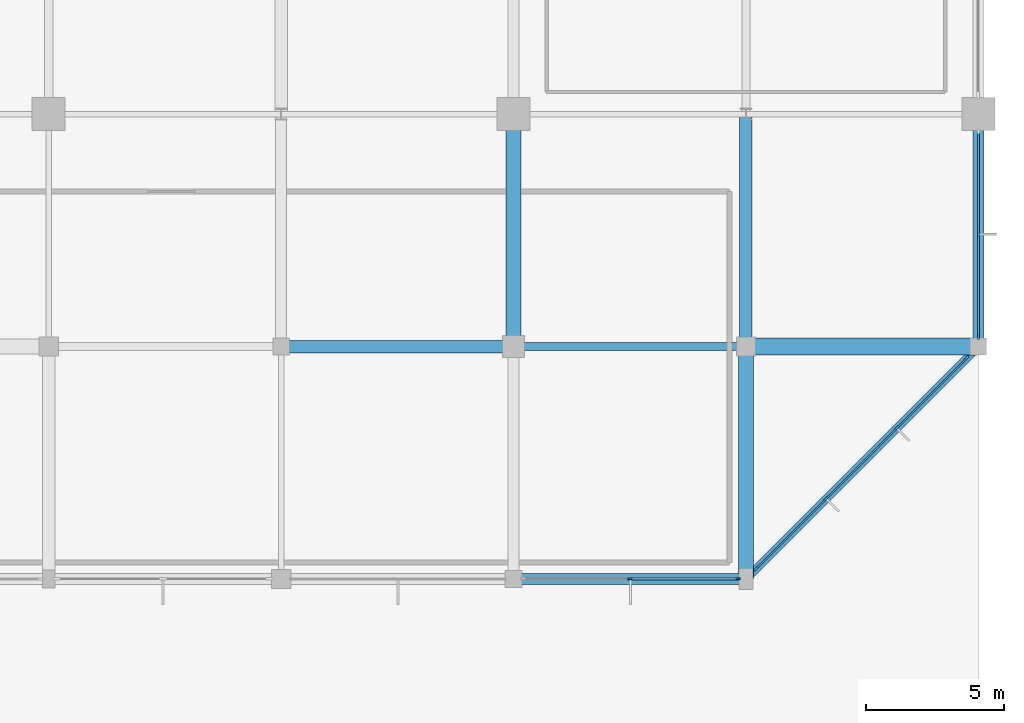
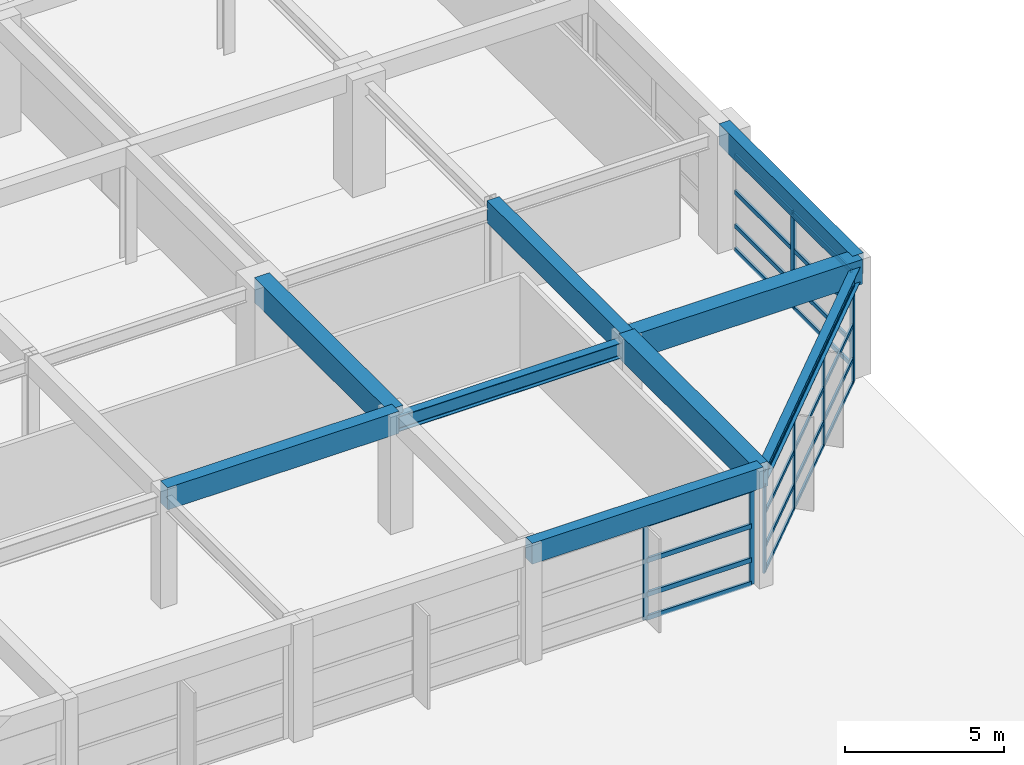
# One storey, part 29 of 60: 32 members, 9 beams, 3 elements without a shape of their own.
"""IFC4 building model written with IfcOpenShell, lengths in metres."""

from ifc_helpers import new_model, si_unit, direction, frame, origin, origin_2d, place, context, subcontext, project, spatial, rectangle, i_section, extrude, material, material_profile, profile_set, type_object, element, aggregate, save


model = new_model("IFC4")

# Units and contexts
model_context = context("Model", 3, precision=1e-05, world=origin(), true_north=direction((0.0, 1.0)))
body_context = subcontext(model_context, "Body", "Model", "MODEL_VIEW")
ifc_project = project(units=[si_unit("LENGTHUNIT", "METRE"), si_unit("AREAUNIT", "SQUARE_METRE"), si_unit("VOLUMEUNIT", "CUBIC_METRE"), si_unit("PLANEANGLEUNIT", "RADIAN"), si_unit("MASSUNIT", "GRAM", prefix="KILO")], contexts=[model_context])

# Site, building, storey
site_placement = place(None, origin())
site = spatial("IfcSite", under=ifc_project, at=site_placement, CompositionType="ELEMENT")
building_placement = place(site_placement, origin())
building = spatial("IfcBuilding", under=site, at=building_placement, Name="Xuanlan Plaza Opera House", CompositionType="ELEMENT")
storey_placement = place(building_placement, frame((0.0, 0.0, 9.89990234375)))
storey = spatial("IfcBuildingStorey", under=building, at=storey_placement, Name="L02", CompositionType="ELEMENT", Elevation=9.89990234375)

# Curtain wall, members
ifc_material_1 = material(Name="Anodised Aluminium 6063-T6 and Low-E Glass", Category="aluminium")
curtain_wall_type_1 = type_object("IfcCurtainWallType", Name="ENV-CW-CW-02", PredefinedType="USERDEFINED", material=ifc_material_1)
curtain_wall_1_placement = place(storey_placement, origin())
curtain_wall_1 = element("IfcCurtainWall", 1, at=curtain_wall_1_placement, inside=storey, type_object=curtain_wall_type_1, Name="Unitised Curtain Wall L02-018", ObjectType="UNITISED CURTAIN WALL", PredefinedType="USERDEFINED")
ifc_material_2 = material(Name="Anodised Aluminium 6063-T6", Category="aluminium")
ifc_material_profile_1 = material_profile(ifc_material_2, rectangle(XDim=0.070068359375, YDim=0.179931640625, at=origin_2d()), Name="ALU-M 70x180")
ifc_profile_set_1 = profile_set([ifc_material_profile_1], Name="Anodised Aluminium 6063-T6")
member_type_1 = type_object("IfcMemberType", Name="ENV-CWM-02", PredefinedType="MULLION", material=ifc_profile_set_1)
member_1_placement = place(storey_placement, frame((155.425048828125, 16.800048828125, 0.0), z_axis=(0.0, 0.0, 1.0), x_axis=(0.0, 1.0, 0.0)))
member_1 = element("IfcMember", 2, at=member_1_placement, type_object=member_type_1, Name="CW-02 mullion 2", PredefinedType="MULLION", context=body_context, shape_type="SweptSolid", body=[
    extrude(rectangle(XDim=0.070068359375, YDim=0.179931640625, at=origin_2d()), origin(), (0.0, 0.0, 1.0), 3.68017578125),
])
member_2_placement = place(storey_placement, frame((159.294921875, 16.800048828125, 0.0), z_axis=(0.0, 0.0, 1.0), x_axis=(0.0, 1.0, 0.0)))
member_2 = element("IfcMember", 3, at=member_2_placement, type_object=member_type_1, Name="CW-02 mullion 3", PredefinedType="MULLION", context=body_context, shape_type="SweptSolid", body=[
    extrude(rectangle(XDim=0.070068359375, YDim=0.179931640625, at=origin_2d()), origin(), (0.0, 0.0, 1.0), 3.68017578125),
])

curtain_wall_type_2 = type_object("IfcCurtainWallType", Name="ENV-CW-CW-03", PredefinedType="USERDEFINED", material=ifc_material_1)
curtain_wall_2_placement = place(storey_placement, origin())
curtain_wall_2 = element("IfcCurtainWall", 4, at=curtain_wall_2_placement, inside=storey, type_object=curtain_wall_type_2, Name="Unitised Curtain Wall L02-019", ObjectType="UNITISED CURTAIN WALL", PredefinedType="USERDEFINED")
ifc_material_profile_2 = material_profile(ifc_material_2, rectangle(XDim=0.074951171875, YDim=0.199951171875, at=origin_2d()), Name="ALU-M 75x200")
ifc_profile_set_2 = profile_set([ifc_material_profile_2], Name="Anodised Aluminium 6063-T6")
member_type_2 = type_object("IfcMemberType", Name="ENV-CWM-03", PredefinedType="MULLION", material=ifc_profile_set_2)
member_3_placement = place(storey_placement, frame((159.9755859375, 17.175537109375, 0.0), z_axis=(0.0, 0.0, 1.0), x_axis=(-0.707106781187, 0.707106781187, 0.0)))
member_3 = element("IfcMember", 5, at=member_3_placement, type_object=member_type_2, Name="CW-03 mullion 1", PredefinedType="MULLION", context=body_context, shape_type="SweptSolid", body=[
    extrude(rectangle(XDim=0.074951171875, YDim=0.199951171875, at=origin_2d()), origin(), (0.0, 0.0, 1.0), 3.68017578125),
])
member_4_placement = place(storey_placement, frame((162.499755859375, 19.69970703125, 0.0), z_axis=(0.0, 0.0, 1.0), x_axis=(-0.707106781187, 0.707106781187, 0.0)))
member_4 = element("IfcMember", 6, at=member_4_placement, type_object=member_type_2, Name="CW-03 mullion 2", PredefinedType="MULLION", context=body_context, shape_type="SweptSolid", body=[
    extrude(rectangle(XDim=0.074951171875, YDim=0.199951171875, at=origin_2d()), origin(), (0.0, 0.0, 1.0), 3.68017578125),
])
member_5_placement = place(storey_placement, frame((165.05029296875, 22.250244140625, 0.0), z_axis=(0.0, 0.0, 1.0), x_axis=(-0.707106781187, 0.707106781187, 0.0)))
member_5 = element("IfcMember", 7, at=member_5_placement, type_object=member_type_2, Name="CW-03 mullion 3", PredefinedType="MULLION", context=body_context, shape_type="SweptSolid", body=[
    extrude(rectangle(XDim=0.074951171875, YDim=0.199951171875, at=origin_2d()), origin(), (0.0, 0.0, 1.0), 3.68017578125),
])
member_6_placement = place(storey_placement, frame((167.574462890625, 24.7744140625, 0.0), z_axis=(0.0, 0.0, 1.0), x_axis=(-0.707106781187, 0.707106781187, 0.0)))
member_6 = element("IfcMember", 8, at=member_6_placement, type_object=member_type_2, Name="CW-03 mullion 4", PredefinedType="MULLION", context=body_context, shape_type="SweptSolid", body=[
    extrude(rectangle(XDim=0.074951171875, YDim=0.199951171875, at=origin_2d()), origin(), (0.0, 0.0, 1.0), 3.68017578125),
])

curtain_wall_type_3 = type_object("IfcCurtainWallType", Name="ENV-CW-CW-04", PredefinedType="USERDEFINED", material=ifc_material_1)
curtain_wall_3_placement = place(storey_placement, origin())
curtain_wall_3 = element("IfcCurtainWall", 9, at=curtain_wall_3_placement, inside=storey, type_object=curtain_wall_type_3, Name="Unitised Curtain Wall L02-020", ObjectType="UNITISED CURTAIN WALL", PredefinedType="USERDEFINED")
ifc_material_profile_3 = material_profile(ifc_material_2, rectangle(XDim=0.080078125, YDim=0.219970703125, at=origin_2d()), Name="ALU-M 80x220")
ifc_profile_set_3 = profile_set([ifc_material_profile_3], Name="Anodised Aluminium 6063-T6")
member_type_3 = type_object("IfcMemberType", Name="ENV-CWM-04", PredefinedType="MULLION", material=ifc_profile_set_3)
member_7_placement = place(storey_placement, frame((168.0, 25.56005859375, 0.0), z_axis=(0.0, 0.0, 1.0), x_axis=(-1.0, 0.0, 0.0)))
member_7 = element("IfcMember", 10, at=member_7_placement, type_object=member_type_3, Name="CW-04 mullion 1", PredefinedType="MULLION", context=body_context, shape_type="SweptSolid", body=[
    extrude(rectangle(XDim=0.080078125, YDim=0.219970703125, at=origin_2d()), origin(), (0.0, 0.0, 1.0), 3.68017578125),
])
member_8_placement = place(storey_placement, frame((168.0, 29.25, 0.0), z_axis=(0.0, 0.0, 1.0), x_axis=(-1.0, 0.0, 0.0)))
member_8 = element("IfcMember", 11, at=member_8_placement, type_object=member_type_3, Name="CW-04 mullion 2", PredefinedType="MULLION", context=body_context, shape_type="SweptSolid", body=[
    extrude(rectangle(XDim=0.080078125, YDim=0.219970703125, at=origin_2d()), origin(), (0.0, 0.0, 1.0), 3.68017578125),
])

# Member
ifc_material_profile_4 = material_profile(ifc_material_2, rectangle(XDim=0.070068359375, YDim=0.135009765625, at=origin_2d()), Name="ALU-T 70x135")
ifc_profile_set_4 = profile_set([ifc_material_profile_4], Name="Anodised Aluminium 6063-T6")
member_type_4 = type_object("IfcMemberType", Name="ENV-CWT-02", PredefinedType="USERDEFINED", material=ifc_profile_set_4)
member_9_placement = place(storey_placement, frame((160.001953125, 17.2021484375, 0.03515625), z_axis=(0.707141711252, 0.707071849396, 0.0), x_axis=(-0.707071849396, 0.707141711252, 0.0)))
member_9 = element("IfcMember", 12, at=member_9_placement, type_object=member_type_4, Name="CW-03 transom 1.1", ObjectType="TRANSOM", PredefinedType="USERDEFINED", context=body_context, shape_type="SweptSolid", body=[
    extrude(rectangle(XDim=0.070068359375, YDim=0.135009765625, at=origin_2d()), origin(), (0.0, 0.0, 1.0), 3.49462890625),
])

member_10_placement = place(storey_placement, frame((160.001953125, 17.2021484375, 0.9501953125), z_axis=(0.707141711252, 0.707071849396, 0.0), x_axis=(-0.707071849396, 0.707141711252, 0.0)))
member_10 = element("IfcMember", 13, at=member_10_placement, type_object=member_type_4, Name="CW-03 transom 1.2", ObjectType="TRANSOM", PredefinedType="USERDEFINED", context=body_context, shape_type="SweptSolid", body=[
    extrude(rectangle(XDim=0.070068359375, YDim=0.135009765625, at=origin_2d()), origin(), (0.0, 0.0, 1.0), 3.49462890625),
])

member_11_placement = place(storey_placement, frame((160.001953125, 17.2021484375, 2.25), z_axis=(0.707141711252, 0.707071849396, 0.0), x_axis=(-0.707071849396, 0.707141711252, 0.0)))
member_11 = element("IfcMember", 14, at=member_11_placement, type_object=member_type_4, Name="CW-03 transom 1.3", ObjectType="TRANSOM", PredefinedType="USERDEFINED", context=body_context, shape_type="SweptSolid", body=[
    extrude(rectangle(XDim=0.070068359375, YDim=0.135009765625, at=origin_2d()), origin(), (0.0, 0.0, 1.0), 3.49462890625),
])

member_12_placement = place(storey_placement, frame((160.001953125, 17.2021484375, 3.64501953125), z_axis=(0.707141711252, 0.707071849396, 0.0), x_axis=(-0.707071849396, 0.707141711252, 0.0)))
member_12 = element("IfcMember", 15, at=member_12_placement, type_object=member_type_4, Name="CW-03 transom 1.4", ObjectType="TRANSOM", PredefinedType="USERDEFINED", context=body_context, shape_type="SweptSolid", body=[
    extrude(rectangle(XDim=0.070068359375, YDim=0.135009765625, at=origin_2d()), origin(), (0.0, 0.0, 1.0), 3.49462890625),
])

member_13_placement = place(storey_placement, frame((162.526123046875, 19.72607421875, 0.03515625), z_axis=(0.707106781187, 0.707106781187, 0.0), x_axis=(-0.707106781187, 0.707106781187, 0.0)))
member_13 = element("IfcMember", 16, at=member_13_placement, type_object=member_type_4, Name="CW-03 transom 2.1", ObjectType="TRANSOM", PredefinedType="USERDEFINED", context=body_context, shape_type="SweptSolid", body=[
    extrude(rectangle(XDim=0.070068359375, YDim=0.135009765625, at=origin_2d()), origin(), (0.0, 0.0, 1.0), 3.532470703125),
])

member_14_placement = place(storey_placement, frame((162.526123046875, 19.72607421875, 0.9501953125), z_axis=(0.707106781187, 0.707106781187, 0.0), x_axis=(-0.707106781187, 0.707106781187, 0.0)))
member_14 = element("IfcMember", 17, at=member_14_placement, type_object=member_type_4, Name="CW-03 transom 2.2", ObjectType="TRANSOM", PredefinedType="USERDEFINED", context=body_context, shape_type="SweptSolid", body=[
    extrude(rectangle(XDim=0.070068359375, YDim=0.135009765625, at=origin_2d()), origin(), (0.0, 0.0, 1.0), 3.532470703125),
])

member_15_placement = place(storey_placement, frame((162.526123046875, 19.72607421875, 2.25), z_axis=(0.707106781187, 0.707106781187, 0.0), x_axis=(-0.707106781187, 0.707106781187, 0.0)))
member_15 = element("IfcMember", 18, at=member_15_placement, type_object=member_type_4, Name="CW-03 transom 2.3", ObjectType="TRANSOM", PredefinedType="USERDEFINED", context=body_context, shape_type="SweptSolid", body=[
    extrude(rectangle(XDim=0.070068359375, YDim=0.135009765625, at=origin_2d()), origin(), (0.0, 0.0, 1.0), 3.532470703125),
])

member_16_placement = place(storey_placement, frame((162.526123046875, 19.72607421875, 3.64501953125), z_axis=(0.707106781187, 0.707106781187, 0.0), x_axis=(-0.707106781187, 0.707106781187, 0.0)))
member_16 = element("IfcMember", 19, at=member_16_placement, type_object=member_type_4, Name="CW-03 transom 2.4", ObjectType="TRANSOM", PredefinedType="USERDEFINED", context=body_context, shape_type="SweptSolid", body=[
    extrude(rectangle(XDim=0.070068359375, YDim=0.135009765625, at=origin_2d()), origin(), (0.0, 0.0, 1.0), 3.532470703125),
])

member_17_placement = place(storey_placement, frame((165.076904296875, 22.27685546875, 0.03515625), z_axis=(0.707071849396, 0.707141711252, 0.0), x_axis=(-0.707141711252, 0.707071849396, 0.0)))
member_17 = element("IfcMember", 20, at=member_17_placement, type_object=member_type_4, Name="CW-03 transom 3.1", ObjectType="TRANSOM", PredefinedType="USERDEFINED", context=body_context, shape_type="SweptSolid", body=[
    extrude(rectangle(XDim=0.070068359375, YDim=0.135009765625, at=origin_2d()), origin(), (0.0, 0.0, 1.0), 3.49462890625),
])

member_18_placement = place(storey_placement, frame((165.076904296875, 22.27685546875, 0.9501953125), z_axis=(0.707071849396, 0.707141711252, 0.0), x_axis=(-0.707141711252, 0.707071849396, 0.0)))
member_18 = element("IfcMember", 21, at=member_18_placement, type_object=member_type_4, Name="CW-03 transom 3.2", ObjectType="TRANSOM", PredefinedType="USERDEFINED", context=body_context, shape_type="SweptSolid", body=[
    extrude(rectangle(XDim=0.070068359375, YDim=0.135009765625, at=origin_2d()), origin(), (0.0, 0.0, 1.0), 3.49462890625),
])

member_19_placement = place(storey_placement, frame((165.076904296875, 22.27685546875, 2.25), z_axis=(0.707071849396, 0.707141711252, 0.0), x_axis=(-0.707141711252, 0.707071849396, 0.0)))
member_19 = element("IfcMember", 22, at=member_19_placement, type_object=member_type_4, Name="CW-03 transom 3.3", ObjectType="TRANSOM", PredefinedType="USERDEFINED", context=body_context, shape_type="SweptSolid", body=[
    extrude(rectangle(XDim=0.070068359375, YDim=0.135009765625, at=origin_2d()), origin(), (0.0, 0.0, 1.0), 3.49462890625),
])

member_20_placement = place(storey_placement, frame((165.076904296875, 22.27685546875, 3.64501953125), z_axis=(0.707071849396, 0.707141711252, 0.0), x_axis=(-0.707141711252, 0.707071849396, 0.0)))
member_20 = element("IfcMember", 23, at=member_20_placement, type_object=member_type_4, Name="CW-03 transom 3.4", ObjectType="TRANSOM", PredefinedType="USERDEFINED", context=body_context, shape_type="SweptSolid", body=[
    extrude(rectangle(XDim=0.070068359375, YDim=0.135009765625, at=origin_2d()), origin(), (0.0, 0.0, 1.0), 3.49462890625),
])

aggregate(curtain_wall_2, [member_3, member_4, member_5, member_6, member_9, member_10, member_11, member_12, member_13, member_14, member_15, member_16, member_17, member_18, member_19, member_20])

ifc_material_profile_5 = material_profile(ifc_material_2, rectangle(XDim=0.080078125, YDim=0.1650390625, at=origin_2d()), Name="ALU-T 80x165")
ifc_profile_set_5 = profile_set([ifc_material_profile_5], Name="Anodised Aluminium 6063-T6")
member_type_5 = type_object("IfcMemberType", Name="ENV-CWT-04", PredefinedType="USERDEFINED", material=ifc_profile_set_5)
member_21_placement = place(storey_placement, frame((168.0, 25.60009765625, 0.0400390625), z_axis=(0.0, 1.0, 0.0), x_axis=(-1.0, 0.0, 0.0)))
member_21 = element("IfcMember", 24, at=member_21_placement, type_object=member_type_5, Name="CW-04 transom 1.1", ObjectType="TRANSOM", PredefinedType="USERDEFINED", context=body_context, shape_type="SweptSolid", body=[
    extrude(rectangle(XDim=0.080078125, YDim=0.1650390625, at=origin_2d()), origin(), (0.0, 0.0, 1.0), 3.60986328125),
])

member_22_placement = place(storey_placement, frame((168.0, 25.60009765625, 0.9501953125), z_axis=(0.0, 1.0, 0.0), x_axis=(-1.0, 0.0, 0.0)))
member_22 = element("IfcMember", 25, at=member_22_placement, type_object=member_type_5, Name="CW-04 transom 1.2", ObjectType="TRANSOM", PredefinedType="USERDEFINED", context=body_context, shape_type="SweptSolid", body=[
    extrude(rectangle(XDim=0.080078125, YDim=0.1650390625, at=origin_2d()), origin(), (0.0, 0.0, 1.0), 3.60986328125),
])

member_23_placement = place(storey_placement, frame((168.0, 25.60009765625, 2.25), z_axis=(0.0, 1.0, 0.0), x_axis=(-1.0, 0.0, 0.0)))
member_23 = element("IfcMember", 26, at=member_23_placement, type_object=member_type_5, Name="CW-04 transom 1.3", ObjectType="TRANSOM", PredefinedType="USERDEFINED", context=body_context, shape_type="SweptSolid", body=[
    extrude(rectangle(XDim=0.080078125, YDim=0.1650390625, at=origin_2d()), origin(), (0.0, 0.0, 1.0), 3.60986328125),
])

member_24_placement = place(storey_placement, frame((168.0, 25.60009765625, 3.64013671875), z_axis=(0.0, 1.0, 0.0), x_axis=(-1.0, 0.0, 0.0)))
member_24 = element("IfcMember", 27, at=member_24_placement, type_object=member_type_5, Name="CW-04 transom 1.4", ObjectType="TRANSOM", PredefinedType="USERDEFINED", context=body_context, shape_type="SweptSolid", body=[
    extrude(rectangle(XDim=0.080078125, YDim=0.1650390625, at=origin_2d()), origin(), (0.0, 0.0, 1.0), 3.60986328125),
])

member_25_placement = place(storey_placement, frame((168.0, 29.2900390625, 0.0400390625), z_axis=(0.0, 1.0, 0.0), x_axis=(-1.0, 0.0, 0.0)))
member_25 = element("IfcMember", 28, at=member_25_placement, type_object=member_type_5, Name="CW-04 transom 2.1", ObjectType="TRANSOM", PredefinedType="USERDEFINED", context=body_context, shape_type="SweptSolid", body=[
    extrude(rectangle(XDim=0.080078125, YDim=0.1650390625, at=origin_2d()), origin(), (0.0, 0.0, 1.0), 3.60986328125),
])

member_26_placement = place(storey_placement, frame((168.0, 29.2900390625, 0.9501953125), z_axis=(0.0, 1.0, 0.0), x_axis=(-1.0, 0.0, 0.0)))
member_26 = element("IfcMember", 29, at=member_26_placement, type_object=member_type_5, Name="CW-04 transom 2.2", ObjectType="TRANSOM", PredefinedType="USERDEFINED", context=body_context, shape_type="SweptSolid", body=[
    extrude(rectangle(XDim=0.080078125, YDim=0.1650390625, at=origin_2d()), origin(), (0.0, 0.0, 1.0), 3.60986328125),
])

member_27_placement = place(storey_placement, frame((168.0, 29.2900390625, 2.25), z_axis=(0.0, 1.0, 0.0), x_axis=(-1.0, 0.0, 0.0)))
member_27 = element("IfcMember", 30, at=member_27_placement, type_object=member_type_5, Name="CW-04 transom 2.3", ObjectType="TRANSOM", PredefinedType="USERDEFINED", context=body_context, shape_type="SweptSolid", body=[
    extrude(rectangle(XDim=0.080078125, YDim=0.1650390625, at=origin_2d()), origin(), (0.0, 0.0, 1.0), 3.60986328125),
])

member_28_placement = place(storey_placement, frame((168.0, 29.2900390625, 3.64013671875), z_axis=(0.0, 1.0, 0.0), x_axis=(-1.0, 0.0, 0.0)))
member_28 = element("IfcMember", 31, at=member_28_placement, type_object=member_type_5, Name="CW-04 transom 2.4", ObjectType="TRANSOM", PredefinedType="USERDEFINED", context=body_context, shape_type="SweptSolid", body=[
    extrude(rectangle(XDim=0.080078125, YDim=0.1650390625, at=origin_2d()), origin(), (0.0, 0.0, 1.0), 3.60986328125),
])

aggregate(curtain_wall_3, [member_7, member_8, member_21, member_22, member_23, member_24, member_25, member_26, member_27, member_28])

ifc_material_profile_6 = material_profile(ifc_material_2, rectangle(XDim=0.090087890625, YDim=0.179931640625, at=origin_2d()), Name="ALU-T 90x180")
ifc_profile_set_6 = profile_set([ifc_material_profile_6], Name="Anodised Aluminium 6063-T6")
member_type_6 = type_object("IfcMemberType", Name="ENV-CWT-05", PredefinedType="USERDEFINED", material=ifc_profile_set_6)
member_29_placement = place(storey_placement, frame((155.4599609375, 16.800048828125, 0.045166015625), z_axis=(1.0, 0.0, 0.0), x_axis=(0.0, 1.0, 0.0)))
member_29 = element("IfcMember", 32, at=member_29_placement, type_object=member_type_6, Name="CW-02 transom 2.1", ObjectType="TRANSOM", PredefinedType="USERDEFINED", context=body_context, shape_type="SweptSolid", body=[
    extrude(rectangle(XDim=0.090087890625, YDim=0.179931640625, at=origin_2d()), origin(), (0.0, 0.0, 1.0), 3.800048828125),
])

member_30_placement = place(storey_placement, frame((155.4599609375, 16.800048828125, 0.9501953125), z_axis=(1.0, 0.0, 0.0), x_axis=(0.0, 1.0, 0.0)))
member_30 = element("IfcMember", 33, at=member_30_placement, type_object=member_type_6, Name="CW-02 transom 2.2", ObjectType="TRANSOM", PredefinedType="USERDEFINED", context=body_context, shape_type="SweptSolid", body=[
    extrude(rectangle(XDim=0.090087890625, YDim=0.179931640625, at=origin_2d()), origin(), (0.0, 0.0, 1.0), 3.800048828125),
])

member_31_placement = place(storey_placement, frame((155.4599609375, 16.800048828125, 2.25), z_axis=(1.0, 0.0, 0.0), x_axis=(0.0, 1.0, 0.0)))
member_31 = element("IfcMember", 34, at=member_31_placement, type_object=member_type_6, Name="CW-02 transom 2.3", ObjectType="TRANSOM", PredefinedType="USERDEFINED", context=body_context, shape_type="SweptSolid", body=[
    extrude(rectangle(XDim=0.090087890625, YDim=0.179931640625, at=origin_2d()), origin(), (0.0, 0.0, 1.0), 3.800048828125),
])

member_32_placement = place(storey_placement, frame((155.4599609375, 16.800048828125, 3.635009765625), z_axis=(1.0, 0.0, 0.0), x_axis=(0.0, 1.0, 0.0)))
member_32 = element("IfcMember", 35, at=member_32_placement, type_object=member_type_6, Name="CW-02 transom 2.4", ObjectType="TRANSOM", PredefinedType="USERDEFINED", context=body_context, shape_type="SweptSolid", body=[
    extrude(rectangle(XDim=0.090087890625, YDim=0.179931640625, at=origin_2d()), origin(), (0.0, 0.0, 1.0), 3.800048828125),
])

aggregate(curtain_wall_1, [member_1, member_2, member_29, member_30, member_31, member_32])

# Beams
ifc_material_3 = material(Name="Concrete C50", Category="concrete")
ifc_material_profile_7 = material_profile(ifc_material_3, rectangle(XDim=0.60009765625, YDim=0.949951171875, at=origin_2d()), Name="RC-BM 600x950")
ifc_profile_set_7 = profile_set([ifc_material_profile_7], Name="Concrete C50")
beam_type_1 = type_object("IfcBeamType", Name="STR-BM-B-01", PredefinedType="BEAM", material=ifc_profile_set_7)
beam_1_placement = place(storey_placement, frame((159.60009765625, 25.199951171875, 4.025146484375), z_axis=(1.0, 0.0, 0.0), x_axis=(0.0, 1.0, 0.0)))
element("IfcBeam", 36, at=beam_1_placement, inside=storey, type_object=beam_type_1, Name="Grid Beam X L02 20-21/D", PredefinedType="BEAM", context=body_context, shape_type="SweptSolid", body=[
    extrude(rectangle(XDim=0.60009765625, YDim=0.949951171875, at=origin_2d()), origin(), (0.0, 0.0, 1.0), 8.39990234375),
])
ifc_material_profile_8 = material_profile(ifc_material_3, rectangle(XDim=0.550048828125, YDim=0.949951171875, at=origin_2d()), Name="RC-BM 550x950")
ifc_profile_set_8 = profile_set([ifc_material_profile_8], Name="Concrete C50")
beam_type_2 = type_object("IfcBeamType", Name="STR-BM-B-02", PredefinedType="BEAM", material=ifc_profile_set_8)
beam_2_placement = place(storey_placement, frame((151.199951171875, 25.199951171875, 4.025146484375), z_axis=(0.0, 1.0, 0.0), x_axis=(-1.0, 0.0, 0.0)))
element("IfcBeam", 37, at=beam_2_placement, inside=storey, type_object=beam_type_2, Name="Grid Beam Y L02 19/D-E", PredefinedType="BEAM", context=body_context, shape_type="SweptSolid", body=[
    extrude(rectangle(XDim=0.550048828125, YDim=0.949951171875, at=origin_2d()), origin(), (0.0, 0.0, 1.0), 8.400146484375),
])
beam_3_placement = place(storey_placement, frame((159.60009765625, 16.800048828125, 4.025146484375), z_axis=(0.0, 1.0, 0.0), x_axis=(-1.0, 0.0, 0.0)))
element("IfcBeam", 38, at=beam_3_placement, inside=storey, type_object=beam_type_2, Name="Grid Beam Y L02 20/C-D", PredefinedType="BEAM", context=body_context, shape_type="SweptSolid", body=[
    extrude(rectangle(XDim=0.550048828125, YDim=0.949951171875, at=origin_2d()), origin(), (0.0, 0.0, 1.0), 8.39990234375),
])
ifc_material_4 = material(Name="Concrete C40", Category="concrete")
ifc_material_profile_9 = material_profile(ifc_material_4, rectangle(XDim=0.449951171875, YDim=0.85009765625, at=origin_2d()), Name="RC-BM 450x850")
ifc_profile_set_9 = profile_set([ifc_material_profile_9], Name="Concrete C40")
beam_type_3 = type_object("IfcBeamType", Name="STR-BM-B-04", PredefinedType="BEAM", material=ifc_profile_set_9)
beam_4_placement = place(storey_placement, frame((142.800048828125, 25.199951171875, 4.0751953125), z_axis=(1.0, 0.0, 0.0), x_axis=(0.0, 1.0, 0.0)))
element("IfcBeam", 39, at=beam_4_placement, inside=storey, type_object=beam_type_3, Name="Grid Beam X L02 18-19/D", PredefinedType="BEAM", context=body_context, shape_type="SweptSolid", body=[
    extrude(rectangle(XDim=0.449951171875, YDim=0.85009765625, at=origin_2d()), origin(), (0.0, 0.0, 1.0), 8.39990234375),
])
beam_5_placement = place(storey_placement, frame((159.60009765625, 25.199951171875, 4.0751953125), z_axis=(0.0, 1.0, 0.0), x_axis=(-1.0, 0.0, 0.0)))
element("IfcBeam", 40, at=beam_5_placement, inside=storey, type_object=beam_type_3, Name="Grid Beam Y L02 20/D-E", PredefinedType="BEAM", context=body_context, shape_type="SweptSolid", body=[
    extrude(rectangle(XDim=0.449951171875, YDim=0.85009765625, at=origin_2d()), origin(), (0.0, 0.0, 1.0), 8.400146484375),
])
ifc_material_5 = material(Name="Steel Q355B", Category="steel")
ifc_material_profile_10 = material_profile(ifc_material_5, i_section(OverallWidth=0.300048828125, OverallDepth=0.587890625, WebThickness=0.011962890625, FlangeThickness=0.02001953125, FilletRadius=0.02392578125, at=origin_2d()), Name="HM 588x300x12x20")
ifc_profile_set_10 = profile_set([ifc_material_profile_10], Name="Steel Q355B")
beam_type_4 = type_object("IfcBeamType", Name="STR-BM-SB-06", PredefinedType="BEAM", material=ifc_profile_set_10)
beam_6_placement = place(storey_placement, frame((151.199951171875, 25.199951171875, 3.941162109375), z_axis=(1.0, 0.0, 0.0), x_axis=(0.0, 1.0, 0.0)))
element("IfcBeam", 41, at=beam_6_placement, inside=storey, type_object=beam_type_4, Name="Grid Beam X L02 19-20/D", PredefinedType="BEAM", context=body_context, shape_type="SweptSolid", body=[
    extrude(i_section(OverallWidth=0.300048828125, OverallDepth=0.587890625, WebThickness=0.011962890625, FlangeThickness=0.02001953125, FilletRadius=0.02392578125, at=origin_2d()), origin(), (0.0, 0.0, 1.0), 8.400146484375),
])
ifc_material_profile_11 = material_profile(ifc_material_4, rectangle(XDim=0.39990234375, YDim=0.800048828125, at=origin_2d()), Name="RC-SPD 400x800")
ifc_profile_set_11 = profile_set([ifc_material_profile_11], Name="Concrete C40")
beam_type_5 = type_object("IfcBeamType", Name="STR-BM-SP-01", PredefinedType="SPANDREL", material=ifc_profile_set_11)
for number, where, z_axis, x_axis, name in (
    (42, (151.199951171875, 16.800048828125, 4.10009765625), (1.0, 0.0, 0.0), (0.0, 1.0, 0.0), "Grid Beam X L02 19-20/C"),
    (43, (168.0, 25.199951171875, 4.10009765625), (0.0, 1.0, 0.0), (-1.0, 0.0, 0.0), "Grid Beam Y L02 21/D-E"),
):
    element("IfcBeam", number, at=place(storey_placement, frame(where, z_axis=z_axis, x_axis=x_axis)), inside=storey, type_object=beam_type_5, Name=name, PredefinedType="SPANDREL", context=body_context, shape_type="SweptSolid", body=[
        extrude(rectangle(XDim=0.39990234375, YDim=0.800048828125, at=origin_2d()), origin(), (0.0, 0.0, 1.0), 8.400146484375),
    ])
ifc_material_profile_12 = material_profile(ifc_material_5, i_section(OverallWidth=0.300048828125, OverallDepth=0.587890625, WebThickness=0.011962890625, FlangeThickness=0.02001953125, FilletRadius=0.02392578125, at=origin_2d()), Name="HM 588x300x12x20")
ifc_profile_set_12 = profile_set([ifc_material_profile_12], Name="Steel Q355B")
beam_type_6 = type_object("IfcBeamType", Name="STR-BM-SP-03", PredefinedType="SPANDREL", material=ifc_profile_set_12)
beam_7_placement = place(storey_placement, frame((168.0, 25.199951171875, 3.941162109375), z_axis=(-0.707106781187, -0.707106781187, 0.0), x_axis=(0.707106781187, -0.707106781187, 0.0)))
element("IfcBeam", 44, at=beam_7_placement, inside=storey, type_object=beam_type_6, Name="Faceted Edge Spandrel L02 CH17", PredefinedType="SPANDREL", context=body_context, shape_type="SweptSolid", body=[
    extrude(i_section(OverallWidth=0.300048828125, OverallDepth=0.587890625, WebThickness=0.011962890625, FlangeThickness=0.02001953125, FilletRadius=0.02392578125, at=origin_2d()), origin(), (0.0, 0.0, 1.0), 11.879150390625),
])

save(model, "model.ifc")
